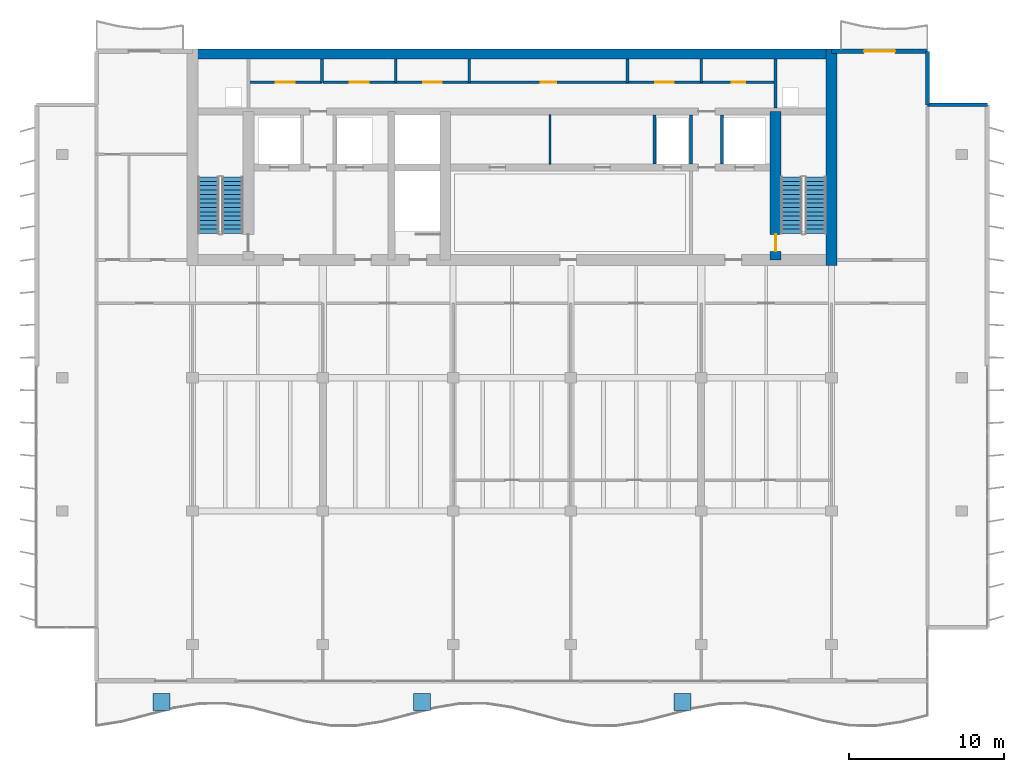
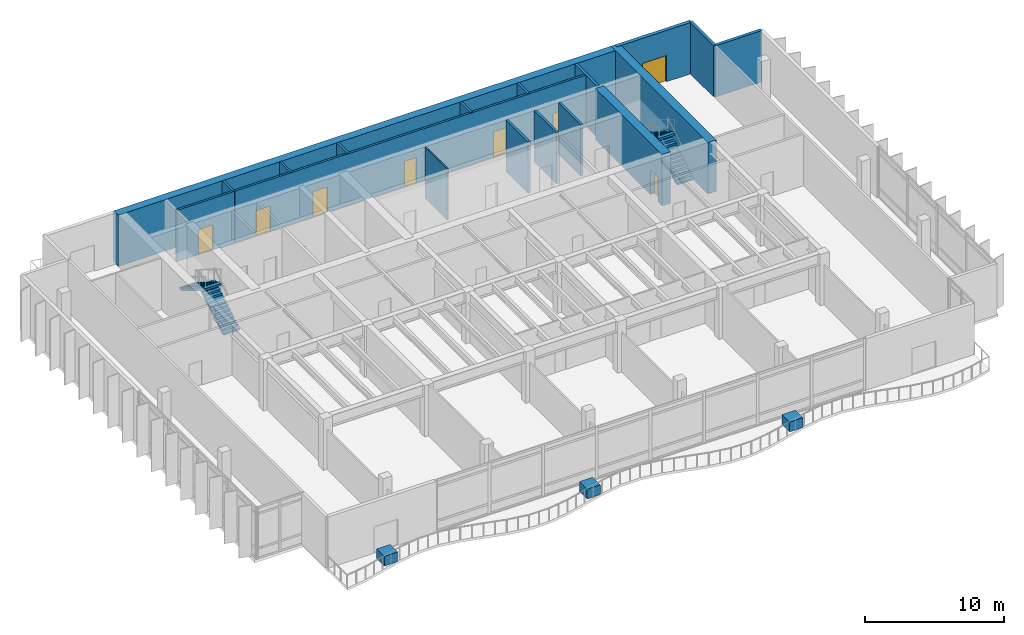
# One storey, part 8 of 14: 18 walls, 8 doors, 4 stair flights, 3 discrete accessories, 8 openings, 2 elements without a shape of their own.
"""IFC4 building model written with IfcOpenShell, lengths in metres."""

import ifcopenshell
import ifcopenshell.guid

model = None  # the IFC model being written
_history = None  # IfcOwnerHistory: only IFC2X3 demands one
_inside = {}  # id of a spatial element -> (the spatial element, [elements in it])
_under = {}  # id of a project, library or spatial element -> (it, [spatial elements below it])
_declared = {}  # id of a project -> (the project, [libraries it declares])
_typed = {}  # id of a type object -> (the type object, [elements of that type])
_made_of = {}  # id of a material, layer set ... -> (it, [elements and type objects made of it])


def new_model(schema):
    """Start an empty IFC model of exactly this schema.

    Asked for "IFC4X3", IfcOpenShell would pick the latest addendum, in which some entities
    have other attributes; the version numbers below select the first issue.
    IFC2X3 requires an IfcOwnerHistory on every rooted entity: one is made here for all.
    """
    global model, _history
    if schema == "IFC4X3":
        model = ifcopenshell.file(schema_version=(4, 3, 0, 0))
    else:
        model = ifcopenshell.file(schema=schema)
    _inside.clear()
    _under.clear()
    _declared.clear()
    _typed.clear()
    _made_of.clear()
    _history = None
    if model.schema == "IFC2X3":
        org = make("IfcOrganization", Name="unknown")
        user = make(
            "IfcPersonAndOrganization",
            ThePerson=make("IfcPerson", FamilyName="unknown"),
            TheOrganization=org,
        )
        app = make(
            "IfcApplication",
            ApplicationDeveloper=org,
            Version="unknown",
            ApplicationFullName="unknown",
            ApplicationIdentifier="unknown",
        )
        _history = make(
            "IfcOwnerHistory",
            OwningUser=user,
            OwningApplication=app,
            ChangeAction="ADDED",
            CreationDate=0,
        )
    return model


def make(cls, **values):
    """One entity of the class cls with the attributes given. An attribute that is None is left unset."""
    return model.create_entity(
        cls, **{name: value for name, value in values.items() if value is not None}
    )


def rooted(cls, **values):
    """An entity with a GlobalId (a new one), such as an element, a storey or a relation."""
    return make(cls, GlobalId=ifcopenshell.guid.new(), OwnerHistory=_history, **values)


def si_unit(unit_type, name, prefix=None):
    """IfcSIUnit, for example si_unit("LENGTHUNIT", "METRE", prefix="MILLI")."""
    return make("IfcSIUnit", UnitType=unit_type, Prefix=prefix, Name=name)


def assignment(units):
    """IfcUnitAssignment: the units of a project."""
    return None if units is None else make("IfcUnitAssignment", Units=units)


def point(xyz):
    """IfcCartesianPoint."""
    return None if xyz is None else make("IfcCartesianPoint", Coordinates=xyz)


def direction(xyz):
    """IfcDirection."""
    return None if xyz is None else make("IfcDirection", DirectionRatios=xyz)


def frame(location, z_axis=None, x_axis=None):
    """IfcAxis2Placement3D, a coordinate frame: its origin and axes. An axis left out is left unset."""
    return make(
        "IfcAxis2Placement3D",
        Location=point(location),
        Axis=direction(z_axis),
        RefDirection=direction(x_axis),
    )


def frame_2d(location, x_axis=None):
    """IfcAxis2Placement2D, a coordinate frame in the plane: its origin and x axis."""
    return make(
        "IfcAxis2Placement2D", Location=point(location), RefDirection=direction(x_axis)
    )


def origin():
    """The frame at (0, 0, 0) with its axes left unset."""
    return frame((0.0, 0.0, 0.0))


def origin_2d():
    """The frame at (0, 0) in the plane with its x axis left unset."""
    return frame_2d((0.0, 0.0))


def place(relative_to, where):
    """IfcLocalPlacement: puts the frame where relative to a parent placement (None: the world)."""
    return make(
        "IfcLocalPlacement", PlacementRelTo=relative_to, RelativePlacement=where
    )


def context(
    kind, dimensions, precision=None, world=None, true_north=None, identifier=None
):
    """IfcGeometricRepresentationContext, for example the 3D "Model" context."""
    return make(
        "IfcGeometricRepresentationContext",
        ContextIdentifier=identifier,
        ContextType=kind,
        CoordinateSpaceDimension=dimensions,
        Precision=precision,
        WorldCoordinateSystem=world,
        TrueNorth=true_north,
    )


def subcontext(parent, identifier, kind, view, scale=None):
    """IfcGeometricRepresentationSubContext, for example "Body" below "Model"."""
    return make(
        "IfcGeometricRepresentationSubContext",
        ContextIdentifier=identifier,
        ContextType=kind,
        ParentContext=parent,
        TargetScale=scale,
        TargetView=view,
    )


def project(units=None, contexts=None):
    """IfcProject with its units and contexts."""
    return rooted(
        "IfcProject",
        Name="project",
        RepresentationContexts=contexts,
        UnitsInContext=assignment(units),
    )


def spatial(cls, under=None, at=None, **own):
    """A site, building, storey or space (cls), placed at a placement, below another one or the project."""
    s = rooted(cls, ObjectPlacement=at, **own)
    if under is not None:
        _under.setdefault(under.id(), (under, []))[1].append(s)
    return s


def polyline(points):
    """IfcPolyline through the points."""
    return make("IfcPolyline", Points=[point(p) for p in points])


def profile(cls, at=None, kind="AREA", **sizes):
    """A parametric profile (cls). Its sizes go by their IFC names, for example OverallWidth=200.0."""
    return make(cls, ProfileType=kind, Position=at, **sizes)


def rectangle(**sizes):
    """IfcRectangleProfileDef."""
    return profile("IfcRectangleProfileDef", **sizes)


def outline(outer, holes=None, kind="AREA"):
    """IfcArbitraryClosedProfileDef: a profile drawn as a closed curve; with holes, ...WithVoids."""
    if holes is None:
        return make("IfcArbitraryClosedProfileDef", ProfileType=kind, OuterCurve=outer)
    return make(
        "IfcArbitraryProfileDefWithVoids",
        ProfileType=kind,
        OuterCurve=outer,
        InnerCurves=holes,
    )


def extrude(swept, where, along, depth):
    """IfcExtrudedAreaSolid: the profile swept, set in the frame where, extruded along a direction by depth."""
    return make(
        "IfcExtrudedAreaSolid",
        SweptArea=swept,
        Position=where,
        ExtrudedDirection=direction(along),
        Depth=depth,
    )


def shape(context_of_items, identifier, shape_type, items):
    """IfcShapeRepresentation: the items that make up one representation, for example the "Body"."""
    return make(
        "IfcShapeRepresentation",
        ContextOfItems=context_of_items,
        RepresentationIdentifier=identifier,
        RepresentationType=shape_type,
        Items=items,
    )


def material(Name=None, Category=None):
    """IfcMaterial."""
    return make("IfcMaterial", Name=Name, Category=Category)


def layer(
    of_material, thickness, ventilated=None, Name=None, Category=None, Priority=None
):
    """IfcMaterialLayer: one layer of a wall or slab, of a material (None: an air gap)."""
    return make(
        "IfcMaterialLayer",
        Material=of_material,
        LayerThickness=thickness,
        IsVentilated=ventilated,
        Name=Name,
        Category=Category,
        Priority=Priority,
    )


def layer_set(layers, Name=None):
    """IfcMaterialLayerSet."""
    return make("IfcMaterialLayerSet", MaterialLayers=layers, LayerSetName=Name)


def made_of(thing, what):
    """Note that an element or type object is made of a material, layer set ...; save() writes the relation."""
    if what is not None:
        _made_of.setdefault(what.id(), (what, []))[1].append(thing)
    return thing


def type_object(cls, material=None, **own):
    """A type object (cls), such as IfcWallType, which elements share."""
    return made_of(rooted(cls, **own), material)


def element(
    cls,
    number,
    at=None,
    inside=None,
    cuts=None,
    type_object=None,
    material=None,
    context=None,
    identifier="Body",
    shape_type=None,
    held_by="IfcProductDefinitionShape",
    body=None,
    shapes=None,
    **own,
):
    """One element of the class cls, such as IfcWall. Its Tag is "e" and its number.

    at: its placement. inside: the storey or other place that contains it. cuts: it is an
    opening in that element (IfcRelVoidsElement). A single representation is given by context,
    identifier, shape_type and body (its items); several are given by shapes. held_by: the class
    of the entity that holds the representations. save() writes the other relations.
    """
    e = rooted(cls, Tag="e%d" % number, ObjectPlacement=at, **own)
    if body is not None:
        shapes = [shape(context, identifier, shape_type, body)]
    if shapes is not None:
        e.Representation = make(held_by, Representations=shapes)
    if inside is not None:
        _inside.setdefault(inside.id(), (inside, []))[1].append(e)
    if cuts is not None:
        rooted(
            "IfcRelVoidsElement", RelatingBuildingElement=cuts, RelatedOpeningElement=e
        )
    if type_object is not None:
        _typed.setdefault(type_object.id(), (type_object, []))[1].append(e)
    return made_of(e, material)


def fill(opening, filler):
    """IfcRelFillsElement: the door or window that sits in an opening."""
    return rooted(
        "IfcRelFillsElement",
        RelatingOpeningElement=opening,
        RelatedBuildingElement=filler,
    )


def aggregate(whole, parts):
    """IfcRelAggregates: a whole, such as a stair, and the parts it consists of."""
    return rooted("IfcRelAggregates", RelatingObject=whole, RelatedObjects=parts)


def save(model, path):
    """Write the relations noted so far, then the file.

    IfcRelAggregates (storeys below a building ...), IfcRelContainedInSpatialStructure (elements
    in a storey), IfcRelDefinesByType, IfcRelAssociatesMaterial and IfcRelDeclares: one each for
    every whole, place, type object, material and project.
    """
    for whole, parts in _under.values():
        aggregate(whole, parts)
    for where, things in _inside.values():
        rooted(
            "IfcRelContainedInSpatialStructure",
            RelatedElements=things,
            RelatingStructure=where,
        )
    for kind, things in _typed.values():
        rooted("IfcRelDefinesByType", RelatedObjects=things, RelatingType=kind)
    for what, things in _made_of.values():
        rooted("IfcRelAssociatesMaterial", RelatedObjects=things, RelatingMaterial=what)
    for by, libraries in _declared.values():
        rooted("IfcRelDeclares", RelatingContext=by, RelatedDefinitions=libraries)
    model.write(path)


model = new_model("IFC4")

# Units and contexts
model_context = context("Model", 3, precision=1e-05, world=origin(), true_north=direction((0.0, 1.0)))
body_context = subcontext(model_context, "Body", "Model", "MODEL_VIEW")
ifc_project = project(units=[si_unit("LENGTHUNIT", "METRE"), si_unit("AREAUNIT", "SQUARE_METRE"), si_unit("VOLUMEUNIT", "CUBIC_METRE"), si_unit("PLANEANGLEUNIT", "RADIAN"), si_unit("MASSUNIT", "GRAM", prefix="KILO")], contexts=[model_context])

# Site, building, storey
site_placement = place(None, origin())
site = spatial("IfcSite", under=ifc_project, at=site_placement, CompositionType="ELEMENT")
building_placement = place(site_placement, origin())
building = spatial("IfcBuilding", under=site, at=building_placement, Name="Caelmar Bay Residences", CompositionType="ELEMENT")
storey_placement = place(building_placement, frame((0.0, 0.0, 269.39990234375)))
storey = spatial("IfcBuildingStorey", under=building, at=storey_placement, Name="L76", CompositionType="ELEMENT", Elevation=269.39990234375)

# Wall
ifc_material_1 = material(Name="Concrete f'c 55 MPa (8,000 psi)", Category="concrete")
ifc_layer_1 = layer(ifc_material_1, 0.699951171875)
ifc_layer_set_1 = layer_set([ifc_layer_1], Name="Concrete f'c 55 MPa (8,000 psi)")
wall_type_1 = type_object("IfcWallType", Name="SW-COR-700", PredefinedType="SHEAR", material=ifc_layer_set_1)
wall_1_placement = place(storey_placement, frame((59.5, 36.64990234375, 0.0), z_axis=(0.0, 0.0, 1.0), x_axis=(0.0, 1.0, 0.0)))
element("IfcWall", 1, at=wall_1_placement, inside=storey, type_object=wall_type_1, Name="L76 Rear Core East Shear Wall", PredefinedType="SHEAR", context=body_context, shape_type="SweptSolid", body=[
    extrude(rectangle(XDim=13.9501953125, YDim=0.699951171875, at=frame_2d((6.97509765625, 0.0))), origin(), (0.0, 0.0, 1.0), 4.5),
])

# Wall, opening, door
wall_2_placement = place(storey_placement, frame((55.89990234375, 37.0, 0.0), z_axis=(0.0, 0.0, 1.0), x_axis=(0.0, 1.0, 0.0)))
wall_2 = element("IfcWall", 2, at=wall_2_placement, inside=storey, type_object=wall_type_1, Name="L76 Core Structural Web Wall ST2W", PredefinedType="SHEAR", context=body_context, shape_type="SweptSolid", body=[
    extrude(rectangle(XDim=9.574951171875, YDim=0.699951171875, at=frame_2d((4.78759765625, 0.0))), origin(), (0.0, 0.0, 1.0), 4.5),
])
opening_1_placement = place(wall_2_placement, frame((0.550048828125, 0.0, 0.0)))
opening_1 = element("IfcOpeningElement", 3, at=opening_1_placement, cuts=wall_2, Name="Opening D-L76-110", PredefinedType="OPENING", context=body_context, shape_type="SweptSolid", body=[
    extrude(rectangle(XDim=1.10009765625, YDim=2.14990234375, at=frame_2d((0.550048828125, 1.074951171875))), frame((0.0, 0.35986328125, 0.0), z_axis=(0.0, -1.0, 0.0), x_axis=(1.0, 0.0, 0.0)), (0.0, 0.0, 1.0), 0.719970703125),
])
ifc_material_2 = material(Name="Fire-rated steel and walnut architectural door assembly", Category="steel")
ifc_layer_2 = layer(ifc_material_2, 0.050048828125)
ifc_layer_set_2 = layer_set([ifc_layer_2], Name="Fire-rated steel and walnut architectural door assembly")
door_type_1 = type_object("IfcDoorType", Name="D-STAIR-1100", OperationType="NOTDEFINED", PredefinedType="DOOR", material=ifc_layer_set_2)
door_1_placement = place(opening_1_placement, origin())
door_1 = element("IfcDoor", 4, at=door_1_placement, inside=storey, type_object=door_type_1, Name="L76 Firefighting Lobby East Door", OperationType="SINGLE_SWING_RIGHT", OverallHeight=2.14990234375, OverallWidth=1.10009765625, PredefinedType="DOOR", context=body_context, shape_type="SweptSolid", body=[
    extrude(rectangle(XDim=1.10009765625, YDim=2.14990234375, at=frame_2d((0.550048828125, 1.074951171875))), frame((0.0, 0.02490234375, 0.0), z_axis=(0.0, -1.0, 0.0), x_axis=(1.0, 0.0, 0.0)), (0.0, 0.0, 1.0), 0.050048828125),
])
fill(opening_1, door_1)

# Walls
ifc_layer_3 = layer(ifc_material_1, 0.64990234375)
ifc_layer_set_3 = layer_set([ifc_layer_3], Name="Concrete f'c 55 MPa (8,000 psi)")
wall_type_2 = type_object("IfcWallType", Name="SW-CORN-650", PredefinedType="SHEAR", material=ifc_layer_set_3)
wall_3_placement = place(storey_placement, frame((17.949951171875, 50.27490234375, 0.0), z_axis=(0.0, 0.0, 1.0), x_axis=(1.0, 0.0, 0.0)))
element("IfcWall", 5, at=wall_3_placement, inside=storey, type_object=wall_type_2, Name="L76 Rear Core North Shear Wall", PredefinedType="SHEAR", context=body_context, shape_type="SweptSolid", body=[
    extrude(rectangle(XDim=41.900146484375, YDim=0.64990234375, at=frame_2d((20.9501953125, 0.0))), origin(), (0.0, 0.0, 1.0), 4.5),
])
ifc_material_3 = material(Name="Double-stud acoustic fire-rated gypsum partition 180 mm")
ifc_layer_4 = layer(ifc_material_3, 0.179931640625)
ifc_layer_set_4 = layer_set([ifc_layer_4], Name="Double-stud acoustic fire-rated gypsum partition 180 mm")
wall_type_3 = type_object("IfcWallType", Name="W-COR-200", PredefinedType="PARTITIONING", material=ifc_layer_set_4)
for number, where, z_axis, x_axis, name in (
    (6, (26.64990234375, 48.449951171875, 0.0), (0.0, 0.0, 1.0), (0.0, 1.0, 0.0), "L76 Partition Wall V006"),
    (7, (31.39990234375, 48.449951171875, 0.0), (0.0, 0.0, 1.0), (0.0, 1.0, 0.0), "L76 Partition Wall V011"),
    (8, (36.14990234375, 48.449951171875, 0.0), (0.0, 0.0, 1.0), (0.0, 1.0, 0.0), "L76 Partition Wall V013"),
    (9, (46.35009765625, 48.449951171875, 0.0), (0.0, 0.0, 1.0), (0.0, 1.0, 0.0), "L76 Partition Wall V016"),
    (10, (51.10009765625, 48.449951171875, 0.0), (0.0, 0.0, 1.0), (0.0, 1.0, 0.0), "L76 Partition Wall V022"),
):
    element("IfcWall", number, at=place(storey_placement, frame(where, z_axis=z_axis, x_axis=x_axis)), inside=storey, type_object=wall_type_3, Name=name, PredefinedType="PARTITIONING", context=body_context, shape_type="SweptSolid", body=[
        extrude(rectangle(XDim=1.505126953125, YDim=0.179931640625, at=frame_2d((0.75244140625, 0.0))), origin(), (0.0, 0.0, 1.0), 4.5),
    ])

# Wall, opening, door
wall_4_placement = place(storey_placement, frame((21.89990234375, 48.449951171875, 0.0), z_axis=(0.0, 0.0, 1.0), x_axis=(1.0, 0.0, 0.0)))
wall_4 = element("IfcWall", 11, at=wall_4_placement, inside=storey, type_object=wall_type_3, Name="L76 Partition Wall H034", PredefinedType="PARTITIONING", context=body_context, shape_type="SweptSolid", body=[
    extrude(rectangle(XDim=4.75, YDim=0.179931640625, at=frame_2d((2.375, 0.0))), origin(), (0.0, 0.0, 1.0), 4.5),
])
opening_2_placement = place(wall_4_placement, frame((1.77490234375, 0.0, 0.0)))
opening_2 = element("IfcOpeningElement", 12, at=opening_2_placement, cuts=wall_4, Name="Opening D-L76-118", PredefinedType="OPENING", context=body_context, shape_type="SweptSolid", body=[
    extrude(rectangle(XDim=1.199951171875, YDim=2.199951171875, at=frame_2d((0.60009765625, 1.10009765625))), frame((0.0, 0.099853515625, 0.0), z_axis=(0.0, -1.0, 0.0), x_axis=(1.0, 0.0, 0.0)), (0.0, 0.0, 1.0), 0.199951171875),
])
ifc_layer_5 = layer(ifc_material_2, 0.050048828125)
ifc_layer_set_5 = layer_set([ifc_layer_5], Name="Fire-rated steel and walnut architectural door assembly")
door_type_2 = type_object("IfcDoorType", Name="D-PLANT-1200", OperationType="NOTDEFINED", PredefinedType="DOOR", material=ifc_layer_set_5)
door_2_placement = place(opening_2_placement, origin())
door_2 = element("IfcDoor", 13, at=door_2_placement, inside=storey, type_object=door_type_2, Name="L76 Branch Panel Closet Door", OperationType="SINGLE_SWING_RIGHT", OverallHeight=2.199951171875, OverallWidth=1.199951171875, PredefinedType="DOOR", context=body_context, shape_type="SweptSolid", body=[
    extrude(rectangle(XDim=1.199951171875, YDim=2.199951171875, at=frame_2d((0.60009765625, 1.10009765625))), frame((0.0, 0.02490234375, 0.0), z_axis=(0.0, -1.0, 0.0), x_axis=(1.0, 0.0, 0.0)), (0.0, 0.0, 1.0), 0.050048828125),
])
fill(opening_2, door_2)

# Wall, openings, doors
wall_5_placement = place(storey_placement, frame((26.699951171875, 48.449951171875, 0.0), z_axis=(0.0, 0.0, 1.0), x_axis=(1.0, 0.0, 0.0)))
wall_5 = element("IfcWall", 14, at=wall_5_placement, inside=storey, type_object=wall_type_3, Name="L76 Partition Wall H035", PredefinedType="PARTITIONING", context=body_context, shape_type="SweptSolid", body=[
    extrude(rectangle(XDim=29.199951171875, YDim=0.179931640625, at=frame_2d((14.60009765625, 0.0))), origin(), (0.0, 0.0, 1.0), 4.5),
])
opening_3_placement = place(wall_5_placement, frame((1.75, 0.0, 0.0)))
opening_3 = element("IfcOpeningElement", 15, at=opening_3_placement, cuts=wall_5, Name="Opening D-L76-119", PredefinedType="OPENING", context=body_context, shape_type="SweptSolid", body=[
    extrude(rectangle(XDim=1.199951171875, YDim=2.199951171875, at=frame_2d((0.60009765625, 1.10009765625))), frame((0.0, 0.099853515625, 0.0), z_axis=(0.0, -1.0, 0.0), x_axis=(1.0, 0.0, 0.0)), (0.0, 0.0, 1.0), 0.199951171875),
])
opening_4_placement = place(wall_5_placement, frame((6.47509765625, 0.0, 0.0)))
opening_4 = element("IfcOpeningElement", 16, at=opening_4_placement, cuts=wall_5, Name="Opening D-L76-120", PredefinedType="OPENING", context=body_context, shape_type="SweptSolid", body=[
    extrude(rectangle(XDim=1.199951171875, YDim=2.199951171875, at=frame_2d((0.60009765625, 1.10009765625))), frame((0.0, 0.099853515625, 0.0), z_axis=(0.0, -1.0, 0.0), x_axis=(1.0, 0.0, 0.0)), (0.0, 0.0, 1.0), 0.199951171875),
])
opening_5_placement = place(wall_5_placement, frame((14.050048828125, 0.0, 0.0)))
opening_5 = element("IfcOpeningElement", 17, at=opening_5_placement, cuts=wall_5, Name="Opening D-L76-121", PredefinedType="OPENING", context=body_context, shape_type="SweptSolid", body=[
    extrude(rectangle(XDim=1.0, YDim=2.199951171875, at=frame_2d((0.5, 1.10009765625))), frame((0.0, 0.099853515625, 0.0), z_axis=(0.0, -1.0, 0.0), x_axis=(1.0, 0.0, 0.0)), (0.0, 0.0, 1.0), 0.199951171875),
])
opening_6_placement = place(wall_5_placement, frame((21.425048828125, 0.0, 0.0)))
opening_6 = element("IfcOpeningElement", 18, at=opening_6_placement, cuts=wall_5, Name="Opening D-L76-122", PredefinedType="OPENING", context=body_context, shape_type="SweptSolid", body=[
    extrude(rectangle(XDim=1.199951171875, YDim=2.199951171875, at=frame_2d((0.60009765625, 1.10009765625))), frame((0.0, 0.099853515625, 0.0), z_axis=(0.0, -1.0, 0.0), x_axis=(1.0, 0.0, 0.0)), (0.0, 0.0, 1.0), 0.199951171875),
])
opening_7_placement = place(wall_5_placement, frame((26.375, 0.0, 0.0)))
opening_7 = element("IfcOpeningElement", 19, at=opening_7_placement, cuts=wall_5, Name="Opening D-L76-123", PredefinedType="OPENING", context=body_context, shape_type="SweptSolid", body=[
    extrude(rectangle(XDim=0.85009765625, YDim=2.10009765625, at=frame_2d((0.425048828125, 1.050048828125))), frame((0.0, 0.099853515625, 0.0), z_axis=(0.0, -1.0, 0.0), x_axis=(1.0, 0.0, 0.0)), (0.0, 0.0, 1.0), 0.199951171875),
])
ifc_layer_6 = layer(ifc_material_2, 0.050048828125)
ifc_layer_set_6 = layer_set([ifc_layer_6], Name="Fire-rated steel and walnut architectural door assembly")
door_type_3 = type_object("IfcDoorType", Name="D-CORE-850", OperationType="NOTDEFINED", PredefinedType="DOOR", material=ifc_layer_set_6)
door_3_placement = place(opening_7_placement, origin())
door_3 = element("IfcDoor", 20, at=door_3_placement, inside=storey, type_object=door_type_3, Name="L76 Staff Restroom Door", OperationType="SINGLE_SWING_LEFT", OverallHeight=2.10009765625, OverallWidth=0.85009765625, PredefinedType="DOOR", context=body_context, shape_type="SweptSolid", body=[
    extrude(rectangle(XDim=0.85009765625, YDim=2.10009765625, at=frame_2d((0.425048828125, 1.050048828125))), frame((0.0, 0.02490234375, 0.0), z_axis=(0.0, -1.0, 0.0), x_axis=(1.0, 0.0, 0.0)), (0.0, 0.0, 1.0), 0.050048828125),
])
fill(opening_7, door_3)
door_4_placement = place(opening_3_placement, origin())
door_4 = element("IfcDoor", 21, at=door_4_placement, inside=storey, type_object=door_type_2, Name="L76 Water Meter Closet Door", OperationType="SINGLE_SWING_LEFT", OverallHeight=2.199951171875, OverallWidth=1.199951171875, PredefinedType="DOOR", context=body_context, shape_type="SweptSolid", body=[
    extrude(rectangle(XDim=1.199951171875, YDim=2.199951171875, at=frame_2d((0.60009765625, 1.10009765625))), frame((0.0, 0.02490234375, 0.0), z_axis=(0.0, -1.0, 0.0), x_axis=(1.0, 0.0, 0.0)), (0.0, 0.0, 1.0), 0.050048828125),
])
fill(opening_3, door_4)
door_5_placement = place(opening_4_placement, origin())
door_5 = element("IfcDoor", 22, at=door_5_placement, inside=storey, type_object=door_type_2, Name="L76 Low-Voltage Data Closet Door", OperationType="SINGLE_SWING_RIGHT", OverallHeight=2.199951171875, OverallWidth=1.199951171875, PredefinedType="DOOR", context=body_context, shape_type="SweptSolid", body=[
    extrude(rectangle(XDim=1.199951171875, YDim=2.199951171875, at=frame_2d((0.60009765625, 1.10009765625))), frame((0.0, 0.02490234375, 0.0), z_axis=(0.0, -1.0, 0.0), x_axis=(1.0, 0.0, 0.0)), (0.0, 0.0, 1.0), 0.050048828125),
])
fill(opening_4, door_5)
door_6_placement = place(opening_6_placement, origin())
door_6 = element("IfcDoor", 23, at=door_6_placement, inside=storey, type_object=door_type_2, Name="L76 Valet Trunk Closet Door", OperationType="SINGLE_SWING_RIGHT", OverallHeight=2.199951171875, OverallWidth=1.199951171875, PredefinedType="DOOR", context=body_context, shape_type="SweptSolid", body=[
    extrude(rectangle(XDim=1.199951171875, YDim=2.199951171875, at=frame_2d((0.60009765625, 1.10009765625))), frame((0.0, 0.02490234375, 0.0), z_axis=(0.0, -1.0, 0.0), x_axis=(1.0, 0.0, 0.0)), (0.0, 0.0, 1.0), 0.050048828125),
])
fill(opening_6, door_6)
ifc_layer_7 = layer(ifc_material_2, 0.050048828125)
ifc_layer_set_7 = layer_set([ifc_layer_7], Name="Fire-rated steel and walnut architectural door assembly")
door_type_4 = type_object("IfcDoorType", Name="D-UNIT-1000", OperationType="NOTDEFINED", PredefinedType="DOOR", material=ifc_layer_set_7)
door_7_placement = place(opening_5_placement, origin())
door_7 = element("IfcDoor", 24, at=door_7_placement, inside=storey, type_object=door_type_4, Name="L76 Mail Sorting Office Door", OperationType="SINGLE_SWING_LEFT", OverallHeight=2.199951171875, OverallWidth=1.0, PredefinedType="DOOR", context=body_context, shape_type="SweptSolid", body=[
    extrude(rectangle(XDim=1.0, YDim=2.199951171875, at=frame_2d((0.5, 1.10009765625))), frame((0.0, 0.02490234375, 0.0), z_axis=(0.0, -1.0, 0.0), x_axis=(1.0, 0.0, 0.0)), (0.0, 0.0, 1.0), 0.050048828125),
])
fill(opening_5, door_7)

# Walls
ifc_material_4 = material(Name="Precast concrete f'c 40 MPa (6,000 psi)", Category="concrete")
ifc_layer_8 = layer(ifc_material_4, 0.25)
ifc_layer_set_8 = layer_set([ifc_layer_8], Name="Precast concrete f'c 40 MPa (6,000 psi)")
wall_type_4 = type_object("IfcWallType", Name="W-EXT-250", PredefinedType="ELEMENTEDWALL", material=ifc_layer_set_8)
wall_6_placement = place(storey_placement, frame((65.699951171875, 50.449951171875, 0.0), z_axis=(0.0, 0.0, 1.0), x_axis=(0.0, -1.0, 0.0)))
element("IfcWall", 25, at=wall_6_placement, inside=storey, type_object=wall_type_4, Name="L76 NNE-V Notch Wall", PredefinedType="ELEMENTEDWALL", context=body_context, shape_type="SweptSolid", body=[
    extrude(rectangle(XDim=3.449951171875, YDim=0.25, at=frame_2d((1.72509765625, 0.0))), origin(), (0.0, 0.0, 1.0), 4.5),
])
wall_7_placement = place(storey_placement, frame((65.699951171875, 47.0, 0.0), z_axis=(0.0, 0.0, 1.0), x_axis=(1.0, 0.0, 0.0)))
element("IfcWall", 26, at=wall_7_placement, inside=storey, type_object=wall_type_4, Name="L76 NNE-H Notch Wall", PredefinedType="ELEMENTEDWALL", context=body_context, shape_type="SweptSolid", body=[
    extrude(rectangle(XDim=3.85009765625, YDim=0.25, at=frame_2d((1.925048828125, 0.0))), origin(), (0.0, 0.0, 1.0), 4.5),
])

# Wall, opening, door
ifc_layer_9 = layer(ifc_material_4, 0.300048828125)
ifc_layer_set_9 = layer_set([ifc_layer_9], Name="Precast concrete f'c 40 MPa (6,000 psi)")
wall_type_5 = type_object("IfcWallType", Name="W-EXT-300", PredefinedType="STANDARD", material=ifc_layer_set_9)
wall_8_placement = place(storey_placement, frame((59.5, 50.449951171875, 0.0), z_axis=(0.0, 0.0, 1.0), x_axis=(1.0, 0.0, 0.0)))
wall_8 = element("IfcWall", 27, at=wall_8_placement, inside=storey, type_object=wall_type_5, Name="L76 North-East Wing Exterior Wall", PredefinedType="STANDARD", context=body_context, shape_type="SweptSolid", body=[
    extrude(rectangle(XDim=6.199951171875, YDim=0.300048828125, at=frame_2d((3.10009765625, 0.0))), origin(), (0.0, 0.0, 1.0), 4.5),
])
opening_8_placement = place(wall_8_placement, frame((2.10009765625, 0.0, 0.0)))
opening_8 = element("IfcOpeningElement", 28, at=opening_8_placement, cuts=wall_8, Name="Opening L76-BDNE", PredefinedType="OPENING", context=body_context, shape_type="SweptSolid", body=[
    extrude(rectangle(XDim=2.0, YDim=2.300048828125, at=frame_2d((1.0, 1.14990234375))), frame((0.0, 0.159912109375, 0.0), z_axis=(0.0, -1.0, 0.0), x_axis=(1.0, 0.0, 0.0)), (0.0, 0.0, 1.0), 0.320068359375),
])
ifc_material_5 = material(Name="Anodised bronze thermally broken sliding glass door", Category="glass")
ifc_layer_10 = layer(ifc_material_5, 0.050048828125)
ifc_layer_set_10 = layer_set([ifc_layer_10], Name="Anodised bronze thermally broken sliding glass door")
door_type_5 = type_object("IfcDoorType", Name="D-BAL-2000", OperationType="DOUBLE_DOOR_SLIDING", PredefinedType="DOOR", material=ifc_layer_set_10)
door_8_placement = place(opening_8_placement, origin())
door_8 = element("IfcDoor", 29, at=door_8_placement, inside=storey, type_object=door_type_5, Name="L76 North-East Balcony Door", OperationType="DOUBLE_DOOR_SLIDING", OverallHeight=2.300048828125, OverallWidth=2.0, PredefinedType="DOOR", context=body_context, shape_type="SweptSolid", body=[
    extrude(rectangle(XDim=2.0, YDim=2.300048828125, at=frame_2d((1.0, 1.14990234375))), frame((0.0, 0.02490234375, 0.0), z_axis=(0.0, -1.0, 0.0), x_axis=(1.0, 0.0, 0.0)), (0.0, 0.0, 1.0), 0.050048828125),
])
fill(opening_8, door_8)

# Walls
ifc_material_6 = material(Name="Fire-rated masonry and gypsum shaftliner assembly 200 mm", Category="masonry")
ifc_layer_11 = layer(ifc_material_6, 0.199951171875)
ifc_layer_set_11 = layer_set([ifc_layer_11], Name="Fire-rated masonry and gypsum shaftliner assembly 200 mm")
wall_type_6 = type_object("IfcWallType", Name="W-FSAE-200", PredefinedType="PARTITIONING", material=ifc_layer_set_11)
for number, where, z_axis, x_axis, name in (
    (30, (48.10009765625, 43.169921875, 0.0), (0.0, 0.0, 1.0), (0.0, 1.0, 0.0), "L76 Partition Wall V017"),
    (31, (50.449951171875, 43.169921875, 0.0), (0.0, 0.0, 1.0), (0.0, 1.0, 0.0), "L76 Partition Wall V019"),
    (32, (52.449951171875, 43.169921875, 0.0), (0.0, 0.0, 1.0), (0.0, 1.0, 0.0), "L76 Partition Wall V023"),
):
    element("IfcWall", number, at=place(storey_placement, frame(where, z_axis=z_axis, x_axis=x_axis)), inside=storey, type_object=wall_type_6, Name=name, PredefinedType="PARTITIONING", context=body_context, shape_type="SweptSolid", body=[
        extrude(rectangle(XDim=3.18505859375, YDim=0.199951171875, at=frame_2d((1.592529296875, 0.0))), origin(), (0.0, 0.0, 1.0), 4.5),
    ])
wall_9_placement = place(storey_placement, frame((55.89990234375, 46.794921875, 0.0), z_axis=(0.0, 0.0, 1.0), x_axis=(0.0, 1.0, 0.0)))
element("IfcWall", 33, at=wall_9_placement, inside=storey, type_object=wall_type_6, Name="L76 Partition Wall V024", PredefinedType="PARTITIONING", context=body_context, shape_type="SweptSolid", body=[
    extrude(rectangle(XDim=3.16015625, YDim=0.199951171875, at=frame_2d((1.580078125, 0.0))), origin(), (0.0, 0.0, 1.0), 4.5),
])
ifc_material_7 = material(Name="Acoustic metal-stud gypsum partition 120 mm")
ifc_layer_12 = layer(ifc_material_7, 0.1201171875)
ifc_layer_set_12 = layer_set([ifc_layer_12], Name="Acoustic metal-stud gypsum partition 120 mm")
wall_type_7 = type_object("IfcWallType", Name="W-PRT-120", PredefinedType="PARTITIONING", material=ifc_layer_set_12)
wall_10_placement = place(storey_placement, frame((41.35009765625, 43.169921875, 0.0), z_axis=(0.0, 0.0, 1.0), x_axis=(0.0, 1.0, 0.0)))
element("IfcWall", 34, at=wall_10_placement, inside=storey, type_object=wall_type_7, Name="L76 Partition Wall V014", PredefinedType="PARTITIONING", context=body_context, shape_type="SweptSolid", body=[
    extrude(rectangle(XDim=3.18505859375, YDim=0.1201171875, at=frame_2d((1.592529296875, 0.0))), origin(), (0.0, 0.0, 1.0), 4.5),
])

# Stair, stair flights
ifc_material_8 = material(Name="Concrete f'c 40 MPa (6,000 psi)", Category="concrete")
stair_type = type_object("IfcStairType", Name="ST-TAL-170", PredefinedType="HALF_TURN_STAIR", material=ifc_material_8)
stair_1_placement = place(storey_placement, origin())
stair_1 = element("IfcStair", 35, at=stair_1_placement, inside=storey, type_object=stair_type, Name="L76 West Smokeproof Exit Stair ST1", PredefinedType="HALF_TURN_STAIR")
stair_flight_type = type_object("IfcStairFlightType", Name="STF-1400", PredefinedType="STRAIGHT", material=ifc_material_4)
stair_flight_1_placement = place(storey_placement, frame((20.875, 38.699951171875, 0.0), z_axis=(0.0, 0.0, 1.0), x_axis=(0.0, 1.0, 0.0)))
stair_flight_1 = element("IfcStairFlight", 36, at=stair_flight_1_placement, type_object=stair_flight_type, Name="ST1 flight 1", NumberOfRisers=14, NumberOfTreads=13, PredefinedType="STRAIGHT", RiserHeight=0.171428571, TreadLength=0.28, context=body_context, shape_type="SweptSolid", body=[
    extrude(outline(polyline([(0.0, 0.0), (0.0, 0.17138671875), (0.280029296875, 0.17138671875), (0.280029296875, 0.3427734375), (0.56005859375, 0.3427734375), (0.56005859375, 0.514404296875), (0.840087890625, 0.514404296875), (0.840087890625, 0.685791015625), (1.1201171875, 0.685791015625), (1.1201171875, 0.857177734375), (1.39990234375, 0.857177734375), (1.39990234375, 1.028564453125), (1.679931640625, 1.028564453125), (1.679931640625, 1.199951171875), (1.9599609375, 1.199951171875), (1.9599609375, 1.371337890625), (2.239990234375, 1.371337890625), (2.239990234375, 1.54296875), (2.52001953125, 1.54296875), (2.52001953125, 1.71435546875), (2.800048828125, 1.71435546875), (2.800048828125, 1.8857421875), (3.080078125, 1.8857421875), (3.080078125, 2.05712890625), (3.360107421875, 2.05712890625), (3.360107421875, 2.228515625), (3.639892578125, 2.228515625), (3.639892578125, 2.39990234375), (3.639892578125, 2.052734375), (0.287109375, 0.0), (0.0, 0.0)])), frame((0.0, 0.675048828125, 0.0), z_axis=(0.0, -1.0, 0.0), x_axis=(1.0, 0.0, 0.0)), (0.0, 0.0, 1.0), 1.35009765625),
])
stair_flight_2_placement = place(storey_placement, frame((19.324951171875, 42.340087890625, 2.400146484375), z_axis=(0.0, 0.0, 1.0), x_axis=(0.0, -1.0, 0.0)))
stair_flight_2 = element("IfcStairFlight", 37, at=stair_flight_2_placement, type_object=stair_flight_type, Name="ST1 flight 2", NumberOfRisers=14, NumberOfTreads=13, PredefinedType="STRAIGHT", RiserHeight=0.171428571, TreadLength=0.28, context=body_context, shape_type="SweptSolid", body=[
    extrude(outline(polyline([(0.0, 0.0), (0.0, 0.17138671875), (0.280029296875, 0.17138671875), (0.280029296875, 0.3427734375), (0.56005859375, 0.3427734375), (0.56005859375, 0.514404296875), (0.840087890625, 0.514404296875), (0.840087890625, 0.685791015625), (1.1201171875, 0.685791015625), (1.1201171875, 0.857177734375), (1.39990234375, 0.857177734375), (1.39990234375, 1.028564453125), (1.679931640625, 1.028564453125), (1.679931640625, 1.199951171875), (1.9599609375, 1.199951171875), (1.9599609375, 1.371337890625), (2.239990234375, 1.371337890625), (2.239990234375, 1.54296875), (2.52001953125, 1.54296875), (2.52001953125, 1.71435546875), (2.800048828125, 1.71435546875), (2.800048828125, 1.8857421875), (3.080078125, 1.8857421875), (3.080078125, 2.05712890625), (3.360107421875, 2.05712890625), (3.360107421875, 2.228515625), (3.639892578125, 2.228515625), (3.639892578125, 2.39990234375), (3.639892578125, 2.052734375), (0.287109375, 0.0), (0.0, 0.0)])), frame((0.0, 0.675048828125, 0.0), z_axis=(0.0, -1.0, 0.0), x_axis=(1.0, 0.0, 0.0)), (0.0, 0.0, 1.0), 1.35009765625),
])
aggregate(stair_1, [stair_flight_1, stair_flight_2])

stair_2_placement = place(storey_placement, origin())
stair_2 = element("IfcStair", 38, at=stair_2_placement, inside=storey, type_object=stair_type, Name="L76 East Smokeproof Exit Stair ST2", PredefinedType="HALF_TURN_STAIR")
stair_flight_3_placement = place(storey_placement, frame((58.47509765625, 38.699951171875, 0.0), z_axis=(0.0, 0.0, 1.0), x_axis=(0.0, 1.0, 0.0)))
stair_flight_3 = element("IfcStairFlight", 39, at=stair_flight_3_placement, type_object=stair_flight_type, Name="ST2 flight 1", NumberOfRisers=14, NumberOfTreads=13, PredefinedType="STRAIGHT", RiserHeight=0.171428571, TreadLength=0.28, context=body_context, shape_type="SweptSolid", body=[
    extrude(outline(polyline([(0.0, 0.0), (0.0, 0.17138671875), (0.280029296875, 0.17138671875), (0.280029296875, 0.3427734375), (0.56005859375, 0.3427734375), (0.56005859375, 0.514404296875), (0.840087890625, 0.514404296875), (0.840087890625, 0.685791015625), (1.1201171875, 0.685791015625), (1.1201171875, 0.857177734375), (1.39990234375, 0.857177734375), (1.39990234375, 1.028564453125), (1.679931640625, 1.028564453125), (1.679931640625, 1.199951171875), (1.9599609375, 1.199951171875), (1.9599609375, 1.371337890625), (2.239990234375, 1.371337890625), (2.239990234375, 1.54296875), (2.52001953125, 1.54296875), (2.52001953125, 1.71435546875), (2.800048828125, 1.71435546875), (2.800048828125, 1.8857421875), (3.080078125, 1.8857421875), (3.080078125, 2.05712890625), (3.360107421875, 2.05712890625), (3.360107421875, 2.228515625), (3.639892578125, 2.228515625), (3.639892578125, 2.39990234375), (3.639892578125, 2.052734375), (0.287109375, 0.0), (0.0, 0.0)])), frame((0.0, 0.675048828125, 0.0), z_axis=(0.0, -1.0, 0.0), x_axis=(1.0, 0.0, 0.0)), (0.0, 0.0, 1.0), 1.35009765625),
])
stair_flight_4_placement = place(storey_placement, frame((56.925048828125, 42.340087890625, 2.400146484375), z_axis=(0.0, 0.0, 1.0), x_axis=(0.0, -1.0, 0.0)))
stair_flight_4 = element("IfcStairFlight", 40, at=stair_flight_4_placement, type_object=stair_flight_type, Name="ST2 flight 2", NumberOfRisers=14, NumberOfTreads=13, PredefinedType="STRAIGHT", RiserHeight=0.171428571, TreadLength=0.28, context=body_context, shape_type="SweptSolid", body=[
    extrude(outline(polyline([(0.0, 0.0), (0.0, 0.17138671875), (0.280029296875, 0.17138671875), (0.280029296875, 0.3427734375), (0.56005859375, 0.3427734375), (0.56005859375, 0.514404296875), (0.840087890625, 0.514404296875), (0.840087890625, 0.685791015625), (1.1201171875, 0.685791015625), (1.1201171875, 0.857177734375), (1.39990234375, 0.857177734375), (1.39990234375, 1.028564453125), (1.679931640625, 1.028564453125), (1.679931640625, 1.199951171875), (1.9599609375, 1.199951171875), (1.9599609375, 1.371337890625), (2.239990234375, 1.371337890625), (2.239990234375, 1.54296875), (2.52001953125, 1.54296875), (2.52001953125, 1.71435546875), (2.800048828125, 1.71435546875), (2.800048828125, 1.8857421875), (3.080078125, 1.8857421875), (3.080078125, 2.05712890625), (3.360107421875, 2.05712890625), (3.360107421875, 2.228515625), (3.639892578125, 2.228515625), (3.639892578125, 2.39990234375), (3.639892578125, 2.052734375), (0.287109375, 0.0), (0.0, 0.0)])), frame((0.0, 0.675048828125, 0.0), z_axis=(0.0, -1.0, 0.0), x_axis=(1.0, 0.0, 0.0)), (0.0, 0.0, 1.0), 1.35009765625),
])
aggregate(stair_2, [stair_flight_3, stair_flight_4])

# Discrete accessories
ifc_material_9 = material(Name="Architectural bronze GRC planter trough with volcanic-lapilli substrate")
discrete_accessory_type = type_object("IfcDiscreteAccessoryType", Name="ACC-PLANTER-1100", PredefinedType="USERDEFINED", material=ifc_material_9)
for number, where, z_axis, x_axis, name in (
    (41, (16.300048828125, 8.481689453125, 0.0), (0.0, 0.0, 1.0), (1.0, 0.0, 0.0), "L76 Balcony Structural Tree Planter 1"),
    (42, (33.10009765625, 8.481689453125, 0.0), (0.0, 0.0, 1.0), (1.0, 0.0, 0.0), "L76 Balcony Structural Tree Planter 2"),
    (43, (49.89990234375, 8.481689453125, 0.0), (0.0, 0.0, 1.0), (1.0, 0.0, 0.0), "L76 Balcony Structural Tree Planter 3"),
):
    element("IfcDiscreteAccessory", number, at=place(storey_placement, frame(where, z_axis=z_axis, x_axis=x_axis)), inside=storey, type_object=discrete_accessory_type, Name=name, ObjectType="PLANTER", PredefinedType="USERDEFINED", context=body_context, shape_type="SweptSolid", body=[
        extrude(rectangle(XDim=1.10009765625, YDim=1.10009765625, at=origin_2d()), origin(), (0.0, 0.0, 1.0), 0.85009765625),
    ])

save(model, "model.ifc")
